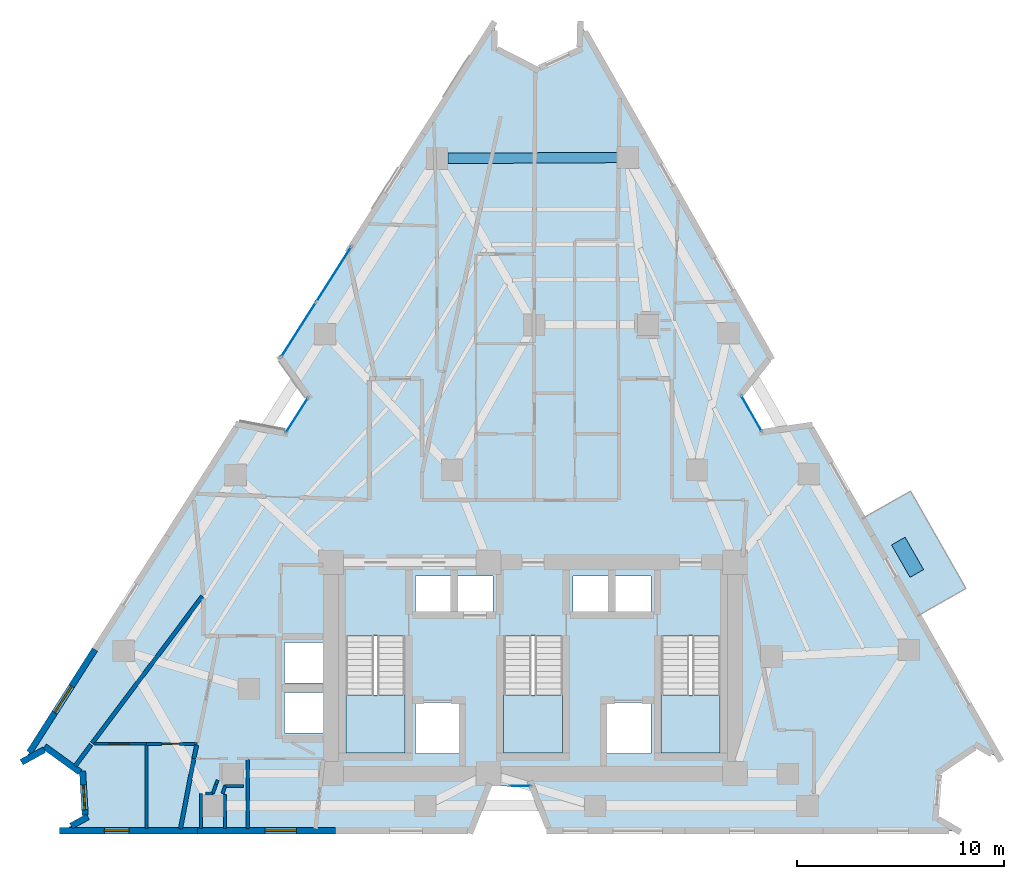
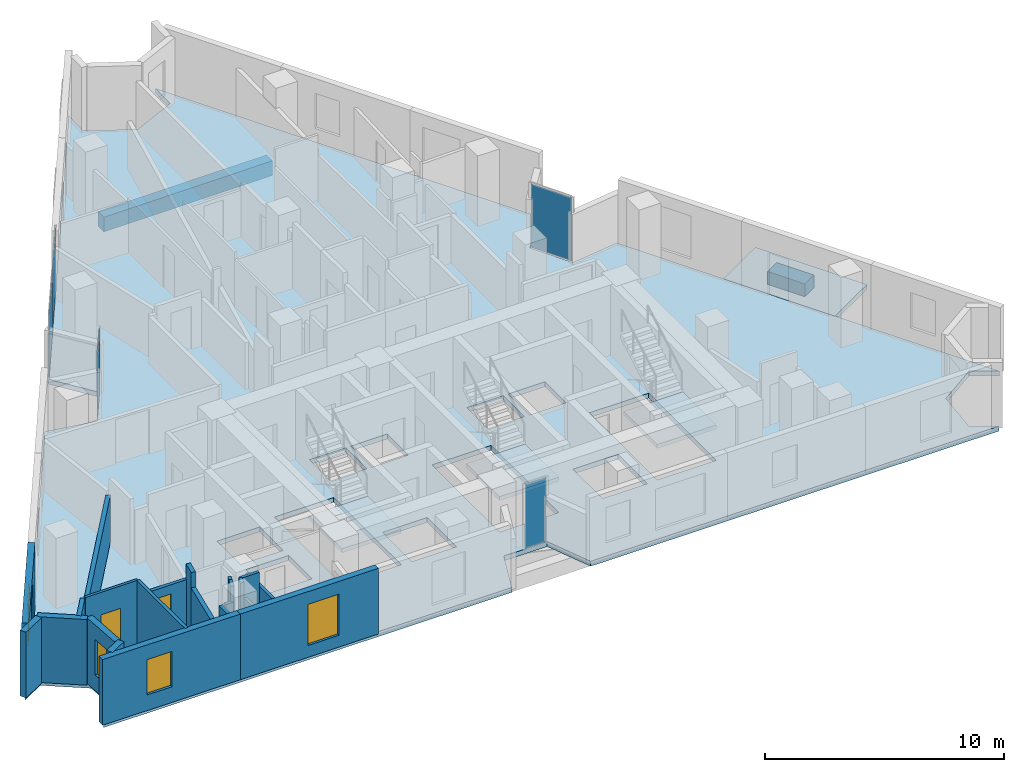
# One storey, part 5 of 11: 22 walls, 6 plates, 5 slabs, 4 windows, 2 doors, 1 beam, 6 openings, 7 elements without a shape of their own.
"""IFC4 building model written with IfcOpenShell, lengths in metres."""

from ifc_helpers import new_model, si_unit, direction, frame, frame_2d, origin, origin_2d, place, context, subcontext, project, spatial, polyline, rectangle, outline, extrude, material, layer, layer_set, material_profile, profile_set, type_object, element, fill, aggregate, save


model = new_model("IFC4")

# Units and contexts
model_context = context("Model", 3, precision=1e-05, world=origin(), true_north=direction((0.0, 1.0)))
body_context = subcontext(model_context, "Body", "Model", "MODEL_VIEW")
ifc_project = project(units=[si_unit("LENGTHUNIT", "METRE"), si_unit("AREAUNIT", "SQUARE_METRE"), si_unit("VOLUMEUNIT", "CUBIC_METRE"), si_unit("PLANEANGLEUNIT", "RADIAN"), si_unit("MASSUNIT", "GRAM", prefix="KILO")], contexts=[model_context])

# Site, building, storey
site_placement = place(None, origin())
site = spatial("IfcSite", under=ifc_project, at=site_placement, CompositionType="ELEMENT")
building_placement = place(site_placement, origin())
building = spatial("IfcBuilding", under=site, at=building_placement, Name="Almagre Mirador Tower", CompositionType="ELEMENT")
storey_placement = place(building_placement, frame((0.0, 0.0, 146.39990234375)))
storey = spatial("IfcBuildingStorey", under=building, at=storey_placement, Name="L37", CompositionType="ELEMENT", Elevation=146.39990234375)

# Beam
ifc_material_1 = material(Name="Precast concrete C50/60", Category="concrete")
ifc_material_profile = material_profile(ifc_material_1, rectangle(XDim=0.5, YDim=0.75, at=origin_2d()), Name="RC500X750")
ifc_profile_set = profile_set([ifc_material_profile], Name="Precast concrete C50/60")
beam_type = type_object("IfcBeamType", Name="BM-SPN-RC500X750", PredefinedType="SPANDREL", material=ifc_profile_set)
beam_placement = place(storey_placement, frame((41.35693359375, 34.274169921875, -0.625), z_axis=(-0.999985336868, -0.005415353079, 0.0), x_axis=(0.005415353079, -0.999985336868, 0.0)))
element("IfcBeam", 1, at=beam_placement, inside=storey, type_object=beam_type, Name="L37 perimeter spandrel beam PC08-PC09", PredefinedType="SPANDREL", context=body_context, shape_type="SweptSolid", body=[
    extrude(rectangle(XDim=0.5, YDim=0.75, at=origin_2d()), origin(), (0.0, 0.0, 1.0), 8.159912109375),
])

# Curtain wall, plate
ifc_material_2 = material(Name="Black anodized aluminium", Category="aluminium")
ifc_layer_1 = layer(ifc_material_2, 0.169921875)
ifc_layer_set_1 = layer_set([ifc_layer_1], Name="Black anodized aluminium")
curtain_wall_type_1 = type_object("IfcCurtainWallType", Name="CW-CRS-SYS", PredefinedType="NOTDEFINED", material=ifc_layer_set_1)
curtain_wall_1_placement = place(storey_placement, origin())
curtain_wall_1 = element("IfcCurtainWall", 2, at=curtain_wall_1_placement, inside=storey, type_object=curtain_wall_type_1, Name="L37 vertical crease curtain wall 01", PredefinedType="NOTDEFINED")
ifc_material_3 = material(Name="Dark solar-control laminated hurricane glass", Category="glass")
ifc_layer_2 = layer(ifc_material_3, 0.028076171875)
ifc_layer_set_2 = layer_set([ifc_layer_2], Name="Dark solar-control laminated hurricane glass")
plate_type_1 = type_object("IfcPlateType", Name="PLT-GLZ-28", PredefinedType="CURTAIN_PANEL", material=ifc_layer_set_2)
plate_1_placement = place(storey_placement, frame((25.91357421875, 21.845458984375, 0.06005859375), z_axis=(0.0, 0.0, 1.0), x_axis=(0.537246906243, 0.843425018441, 0.0)))
plate_1 = element("IfcPlate", 3, at=plate_1_placement, type_object=plate_type_1, Name="CW-4 panel 1.1", PredefinedType="CURTAIN_PANEL", context=body_context, shape_type="SweptSolid", body=[
    extrude(rectangle(XDim=1.97021484375, YDim=0.028076171875, at=origin_2d()), origin(), (0.0, 0.0, 1.0), 3.22998046875),
])
aggregate(curtain_wall_1, [plate_1])

curtain_wall_2_placement = place(storey_placement, origin())
curtain_wall_2 = element("IfcCurtainWall", 4, at=curtain_wall_2_placement, inside=storey, type_object=curtain_wall_type_1, Name="L37 vertical crease curtain wall 03", PredefinedType="NOTDEFINED")
plate_2_placement = place(storey_placement, frame((47.8330078125, 21.9345703125, 0.06005859375), z_axis=(0.0, 0.0, 1.0), x_axis=(0.495726635757, -0.868478613785, 0.0)))
plate_2 = element("IfcPlate", 5, at=plate_2_placement, type_object=plate_type_1, Name="CW-4 panel 1.1", PredefinedType="CURTAIN_PANEL", context=body_context, shape_type="SweptSolid", body=[
    extrude(rectangle(XDim=1.969970703125, YDim=0.028076171875, at=origin_2d()), origin(), (0.0, 0.0, 1.0), 3.22998046875),
])
aggregate(curtain_wall_2, [plate_2])

curtain_wall_3_placement = place(storey_placement, origin())
curtain_wall_3 = element("IfcCurtainWall", 6, at=curtain_wall_3_placement, inside=storey, type_object=curtain_wall_type_1, Name="L37 vertical crease curtain wall 04", PredefinedType="NOTDEFINED")
plate_3_placement = place(storey_placement, frame((36.677490234375, 3.949951171875, 0.06005859375), z_axis=(0.0, 0.0, 1.0), x_axis=(-1.0, 0.0, 0.0)))
plate_3 = element("IfcPlate", 7, at=plate_3_placement, type_object=plate_type_1, Name="CW-4 panel 1.1", PredefinedType="CURTAIN_PANEL", context=body_context, shape_type="SweptSolid", body=[
    extrude(rectangle(XDim=1.014892578125, YDim=0.028076171875, at=origin_2d()), origin(), (0.0, 0.0, 1.0), 3.22998046875),
])
aggregate(curtain_wall_3, [plate_3])

# Curtain wall, plates
ifc_material_4 = material(Name="Black anodized aluminium", Category="aluminium")
ifc_layer_3 = layer(ifc_material_4, 0.199951171875)
ifc_layer_set_3 = layer_set([ifc_layer_3], Name="Black anodized aluminium")
curtain_wall_type_2 = type_object("IfcCurtainWallType", Name="CW-RES-H-SYS", PredefinedType="NOTDEFINED", material=ifc_layer_set_3)
curtain_wall_4_placement = place(storey_placement, origin())
curtain_wall_4 = element("IfcCurtainWall", 8, at=curtain_wall_4_placement, inside=storey, type_object=curtain_wall_type_2, Name="L37 curtain wall run 02", PredefinedType="NOTDEFINED")
ifc_material_5 = material(Name="Dark solar-control laminated hurricane glass", Category="glass")
ifc_layer_4 = layer(ifc_material_5, 0.035888671875)
ifc_layer_set_4 = layer_set([ifc_layer_4], Name="Dark solar-control laminated hurricane glass")
plate_type_2 = type_object("IfcPlateType", Name="PLT-GLZ-36", PredefinedType="CURTAIN_PANEL", material=ifc_layer_set_4)
plate_4_placement = place(storey_placement, frame((25.990478515625, 25.96875, 0.06494140625), z_axis=(0.0, 0.0, 1.0), x_axis=(0.537101558734, 0.843517584645, 0.0)))
plate_4 = element("IfcPlate", 9, at=plate_4_placement, type_object=plate_type_2, Name="CW-3 panel 1.1", PredefinedType="CURTAIN_PANEL", context=body_context, shape_type="SweptSolid", body=[
    extrude(rectangle(XDim=3.10791015625, YDim=0.035888671875, at=origin_2d()), origin(), (0.0, 0.0, 1.0), 3.219970703125),
])
plate_5_placement = place(storey_placement, frame((27.69482421875, 28.64501953125, 0.06494140625), z_axis=(0.0, 0.0, 1.0), x_axis=(0.537101558734, 0.843517584645, 0.0)))
plate_5 = element("IfcPlate", 10, at=plate_5_placement, type_object=plate_type_2, Name="CW-3 panel 2.1", PredefinedType="CURTAIN_PANEL", context=body_context, shape_type="SweptSolid", body=[
    extrude(rectangle(XDim=3.10791015625, YDim=0.035888671875, at=origin_2d()), origin(), (0.0, 0.0, 1.0), 3.219970703125),
])
aggregate(curtain_wall_4, [plate_4, plate_5])

# Plate
ifc_material_6 = material(Name="Precast concrete C50/60", Category="concrete")
ifc_layer_5 = layer(ifc_material_6, 0.64990234375)
ifc_layer_set_5 = layer_set([ifc_layer_5], Name="Precast concrete C50/60")
plate_type_3 = type_object("IfcPlateType", Name="PLT-PLANTER-1800", PredefinedType="USERDEFINED", material=ifc_layer_set_5)
plate_6_placement = place(storey_placement, frame((55.364990234375, 14.990966796875, 0.000244140625), z_axis=(0.0, 0.0, 1.0), x_axis=(-0.495701216789, 0.86849312241, 0.0)))
element("IfcPlate", 11, at=plate_6_placement, inside=storey, type_object=plate_type_3, Name="L37 east balcony structural tree planter 2", ObjectType="PLANTER", PredefinedType="USERDEFINED", context=body_context, shape_type="SweptSolid", body=[
    extrude(rectangle(XDim=1.800048828125, YDim=0.75, at=origin_2d()), origin(), (0.0, 0.0, 1.0), 0.64990234375),
])

# Slabs
ifc_material_7 = material(Name="Concrete C45/55", Category="concrete")
ifc_layer_6 = layer(ifc_material_7, 0.239990234375)
ifc_layer_set_6 = layer_set([ifc_layer_6], Name="Concrete C45/55")
slab_type_1 = type_object("IfcSlabType", Name="SLB-BAL-240", PredefinedType="USERDEFINED", material=ifc_layer_set_6)
slab_1_placement = place(storey_placement, frame((0.0, 0.0, -0.239990234375)))
element("IfcSlab", 12, at=slab_1_placement, inside=storey, type_object=slab_type_1, Name="L37 east planted tree balcony 2", ObjectType="BALCONY", PredefinedType="USERDEFINED", context=body_context, shape_type="SweptSolid", body=[
    extrude(outline(polyline([(55.861083984375, 12.1650390625), (53.18505859375, 16.85498046875), (55.5029296875, 18.178955078125), (58.179931640625, 13.489013671875), (55.861083984375, 12.1650390625)])), origin(), (0.0, 0.0, 1.0), 0.239990234375),
])
ifc_material_8 = material(Name="Concrete C45/55", Category="concrete")
ifc_layer_7 = layer(ifc_material_8, 0.25)
ifc_layer_set_7 = layer_set([ifc_layer_7], Name="Concrete C45/55")
slab_type_2 = type_object("IfcSlabType", Name="SLB-FLR-250", PredefinedType="FLOOR", material=ifc_layer_set_7)
slab_2_placement = place(storey_placement, frame((0.0, 0.0, -0.25)))
element("IfcSlab", 13, at=slab_2_placement, inside=storey, type_object=slab_type_2, Name="L37 structural floor slab", PredefinedType="FLOOR", context=body_context, shape_type="SweptSolid", body=[
    extrude(outline(polyline([(12.7490234375, 5.174072265625), (13.85302734375, 5.780029296875), (15.580078125, 4.532958984375), (15.705078125, 2.406005859375), (14.60009765625, 1.800048828125), (34.300048828125, 1.800048828125), (35.155029296875, 3.949951171875), (37.2451171875, 3.949951171875), (38.10009765625, 1.800048828125), (57.800048828125, 1.800048828125), (56.7099609375, 2.43310546875), (56.887939453125, 4.652099609375), (58.72802734375, 5.906982421875), (59.81689453125, 5.27392578125), (50.64208984375, 21.35009765625), (48.35107421875, 21.027099609375), (47.31494140625, 22.842041015625), (48.758056640625, 24.64990234375), (39.5830078125, 40.72607421875), (39.552001953125, 39.466064453125), (37.462890625, 38.52197265625), (35.4208984375, 39.56591796875), (35.450927734375, 40.825927734375), (25.12109375, 24.60302734375), (26.47509765625, 22.72705078125), (25.35205078125, 20.964111328125), (23.0791015625, 21.39697265625), (12.7490234375, 5.174072265625)]), holes=[polyline([(43.47509765625, 5.550048828125), (43.47509765625, 11.196044921875), (46.324951171875, 11.196044921875), (46.324951171875, 5.550048828125), (43.47509765625, 5.550048828125)]), polyline([(40.820068359375, 5.52001953125), (40.820068359375, 7.97998046875), (42.97998046875, 7.97998046875), (42.97998046875, 5.52001953125), (40.820068359375, 5.52001953125)]), polyline([(41.219970703125, 12.320068359375), (41.219970703125, 14.080078125), (42.97998046875, 14.080078125), (42.97998046875, 12.320068359375), (41.219970703125, 12.320068359375)]), polyline([(39.219970703125, 12.320068359375), (39.219970703125, 14.080078125), (40.97998046875, 14.080078125), (40.97998046875, 12.320068359375), (39.219970703125, 12.320068359375)]), polyline([(35.875, 11.196044921875), (38.72509765625, 11.196044921875), (38.72509765625, 5.550048828125), (35.875, 5.550048828125), (35.875, 11.196044921875)]), polyline([(35.3798828125, 12.320068359375), (33.6201171875, 12.320068359375), (33.6201171875, 14.080078125), (35.3798828125, 14.080078125), (35.3798828125, 12.320068359375)]), polyline([(33.780029296875, 5.52001953125), (31.6201171875, 5.52001953125), (31.6201171875, 7.97998046875), (33.780029296875, 7.97998046875), (33.780029296875, 5.52001953125)]), polyline([(31.6201171875, 12.320068359375), (31.6201171875, 14.080078125), (33.3798828125, 14.080078125), (33.3798828125, 12.320068359375), (31.6201171875, 12.320068359375)]), polyline([(28.27490234375, 5.550048828125), (28.27490234375, 11.196044921875), (31.125, 11.196044921875), (31.125, 5.550048828125), (28.27490234375, 5.550048828125)]), polyline([(25.320068359375, 8.919921875), (25.320068359375, 10.8798828125), (27.3798828125, 10.8798828125), (27.3798828125, 8.919921875), (25.320068359375, 8.919921875)]), polyline([(27.3798828125, 6.52001953125), (25.320068359375, 6.52001953125), (25.320068359375, 8.47998046875), (27.3798828125, 8.47998046875), (27.3798828125, 6.52001953125)])]), origin(), (0.0, 0.0, 1.0), 0.25),
])

# Stair, slab
ifc_material_9 = material(Name="Concrete C45/55", Category="concrete")
stair_type = type_object("IfcStairType", Name="STR-DL-3600", PredefinedType="HALF_TURN_STAIR", material=ifc_material_9)
stair_1_placement = place(storey_placement, origin())
stair_1 = element("IfcStair", 14, at=stair_1_placement, inside=storey, type_object=stair_type, Name="L37 Protected exit stair ST-1", PredefinedType="HALF_TURN_STAIR")
ifc_material_10 = material(Name="Concrete C45/55", Category="concrete")
ifc_layer_8 = layer(ifc_material_10, 0.199951171875)
ifc_layer_set_8 = layer_set([ifc_layer_8], Name="Concrete C45/55")
slab_type_3 = type_object("IfcSlabType", Name="SLB-LND-200", PredefinedType="LANDING", material=ifc_layer_set_8)
slab_3_placement = place(storey_placement, frame((0.0, 0.0, 1.60009765625)))
slab_3 = element("IfcSlab", 15, at=slab_3_placement, type_object=slab_type_3, Name="ST-1 landing 1", PredefinedType="LANDING", context=body_context, shape_type="SweptSolid", body=[
    extrude(outline(polyline([(28.27490234375, 8.35009765625), (28.27490234375, 5.550048828125), (31.125, 5.550048828125), (31.125, 8.35009765625), (28.27490234375, 8.35009765625)])), origin(), (0.0, 0.0, 1.0), 0.199951171875),
])
aggregate(stair_1, [slab_3])

stair_2_placement = place(storey_placement, origin())
stair_2 = element("IfcStair", 16, at=stair_2_placement, inside=storey, type_object=stair_type, Name="L37 Protected exit stair ST-2", PredefinedType="HALF_TURN_STAIR")
slab_4_placement = place(storey_placement, frame((0.0, 0.0, 1.60009765625)))
slab_4 = element("IfcSlab", 17, at=slab_4_placement, type_object=slab_type_3, Name="ST-2 landing 1", PredefinedType="LANDING", context=body_context, shape_type="SweptSolid", body=[
    extrude(outline(polyline([(35.875, 8.35009765625), (35.875, 5.550048828125), (38.72509765625, 5.550048828125), (38.72509765625, 8.35009765625), (35.875, 8.35009765625)])), origin(), (0.0, 0.0, 1.0), 0.199951171875),
])
aggregate(stair_2, [slab_4])

stair_3_placement = place(storey_placement, origin())
stair_3 = element("IfcStair", 18, at=stair_3_placement, inside=storey, type_object=stair_type, Name="L37 Protected exit stair ST-3", PredefinedType="HALF_TURN_STAIR")
slab_5_placement = place(storey_placement, frame((0.0, 0.0, 1.60009765625)))
slab_5 = element("IfcSlab", 19, at=slab_5_placement, type_object=slab_type_3, Name="ST-3 landing 1", PredefinedType="LANDING", context=body_context, shape_type="SweptSolid", body=[
    extrude(outline(polyline([(43.47509765625, 8.35009765625), (43.47509765625, 5.550048828125), (46.324951171875, 5.550048828125), (46.324951171875, 8.35009765625), (43.47509765625, 8.35009765625)])), origin(), (0.0, 0.0, 1.0), 0.199951171875),
])
aggregate(stair_3, [slab_5])

# Wall, opening, window
ifc_material_11 = material(Name="Precast concrete C50/60", Category="concrete")
ifc_layer_9 = layer(ifc_material_11, 0.300048828125)
ifc_layer_set_9 = layer_set([ifc_layer_9], Name="Precast concrete C50/60")
wall_type_1 = type_object("IfcWallType", Name="WAL-EXT-300", PredefinedType="SOLIDWALL", material=ifc_layer_set_9)
wall_1_placement = place(storey_placement, frame((27.780029296875, 1.800048828125, 0.0), z_axis=(0.0, 0.0, 1.0), x_axis=(-1.0, 0.0, 0.0)))
wall_1 = element("IfcWall", 20, at=wall_1_placement, inside=storey, type_object=wall_type_1, Name="L37 expressed almagre precast frame wall 27", PredefinedType="SOLIDWALL", context=body_context, shape_type="SweptSolid", body=[
    extrude(rectangle(XDim=6.659912109375, YDim=0.300048828125, at=frame_2d((3.330078125, 0.0))), origin(), (0.0, 0.0, 1.0), 3.35009765625),
])
opening_1_placement = place(wall_1_placement, frame((1.89990234375, 0.0, 0.60009765625)))
opening_1 = element("IfcOpeningElement", 21, at=opening_1_placement, cuts=wall_1, Name="Opening WN-03", PredefinedType="OPENING", context=body_context, shape_type="SweptSolid", body=[
    extrude(rectangle(XDim=1.5, YDim=2.10009765625, at=frame_2d((0.75, 1.050048828125))), frame((0.0, 0.159902, 0.0), z_axis=(0.0, -1.0, 0.0), x_axis=(1.0, 0.0, 0.0)), (0.0, 0.0, 1.0), 0.320049),
])
ifc_material_12 = material(Name="Dark solar-control laminated hurricane glass", Category="glass")
window_type_1 = type_object("IfcWindowType", Name="WIN-1500X2100", PartitioningType="DOUBLE_PANEL_VERTICAL", PredefinedType="WINDOW", material=ifc_material_12)
window_1_placement = place(opening_1_placement, origin())
window_1 = element("IfcWindow", 22, at=window_1_placement, inside=storey, type_object=window_type_1, Name="L37 recessed hurricane window L37-UB-KT", OverallHeight=2.10009765625, OverallWidth=1.5, PartitioningType="SINGLE_PANEL", PredefinedType="WINDOW", context=body_context, shape_type="SweptSolid", body=[
    extrude(rectangle(XDim=1.5, YDim=2.10009765625, at=frame_2d((0.75, 1.050048828125))), frame((0.0, 0.030029296875, 0.0), z_axis=(0.0, -1.0, 0.0), x_axis=(1.0, 0.0, 0.0)), (0.0, 0.0, 1.0), 0.06005859375),
])
fill(opening_1, window_1)

wall_2_placement = place(storey_placement, frame((21.1201171875, 1.800048828125, 0.0), z_axis=(0.0, 0.0, 1.0), x_axis=(-1.0, 0.0, 0.0)))
wall_2 = element("IfcWall", 23, at=wall_2_placement, inside=storey, type_object=wall_type_1, Name="L37 expressed almagre precast frame wall 28", PredefinedType="SOLIDWALL", context=body_context, shape_type="SweptSolid", body=[
    extrude(rectangle(XDim=6.66015625, YDim=0.300048828125, at=frame_2d((3.330078125, 0.0))), origin(), (0.0, 0.0, 1.0), 3.35009765625),
])
opening_2_placement = place(wall_2_placement, frame((3.300048828125, 0.0, 0.800048828125)))
opening_2 = element("IfcOpeningElement", 24, at=opening_2_placement, cuts=wall_2, Name="Opening WN-04", PredefinedType="OPENING", context=body_context, shape_type="SweptSolid", body=[
    extrude(rectangle(XDim=1.199951171875, YDim=1.800048828125, at=frame_2d((0.60009765625, 0.89990234375))), frame((0.0, 0.159902, 0.0), z_axis=(0.0, -1.0, 0.0), x_axis=(1.0, 0.0, 0.0)), (0.0, 0.0, 1.0), 0.320049),
])
ifc_material_13 = material(Name="Dark solar-control laminated hurricane glass", Category="glass")
window_type_2 = type_object("IfcWindowType", Name="WIN-1200X1800", PartitioningType="SINGLE_PANEL", PredefinedType="WINDOW", material=ifc_material_13)
window_2_placement = place(opening_2_placement, origin())
window_2 = element("IfcWindow", 25, at=window_2_placement, inside=storey, type_object=window_type_2, Name="L37 recessed hurricane window L37-UA-KT", OverallHeight=1.800048828125, OverallWidth=1.199951171875, PartitioningType="SINGLE_PANEL", PredefinedType="WINDOW", context=body_context, shape_type="SweptSolid", body=[
    extrude(rectangle(XDim=1.199951171875, YDim=1.800048828125, at=frame_2d((0.60009765625, 0.89990234375))), frame((0.0, 0.030029296875, 0.0), z_axis=(0.0, -1.0, 0.0), x_axis=(1.0, 0.0, 0.0)), (0.0, 0.0, 1.0), 0.06005859375),
])
fill(opening_2, window_2)

# Wall
wall_3_placement = place(storey_placement, frame((15.016357421875, 2.0283203125, 0.0), z_axis=(0.0, 0.0, 1.0), x_axis=(0.876794471231, 0.48086531921, 0.0)))
element("IfcWall", 26, at=wall_3_placement, inside=storey, type_object=wall_type_1, Name="L37 expressed almagre precast frame wall 29", PredefinedType="SOLIDWALL", context=body_context, shape_type="SweptSolid", body=[
    extrude(rectangle(XDim=0.925537109375, YDim=0.300048828125, at=frame_2d((0.462890625, 0.0))), origin(), (0.0, 0.0, 1.0), 3.35009765625),
])

# Wall, opening, window
wall_4_placement = place(storey_placement, frame((15.696533203125, 2.55078125, 0.0), z_axis=(0.0, 0.0, 1.0), x_axis=(-0.058688358982, 0.99827635278, 0.0)))
wall_4 = element("IfcWall", 27, at=wall_4_placement, inside=storey, type_object=wall_type_1, Name="L37 expressed almagre precast frame wall 30", PredefinedType="SOLIDWALL", context=body_context, shape_type="SweptSolid", body=[
    extrude(rectangle(XDim=2.125732421875, YDim=0.300048828125, at=frame_2d((1.06298828125, 0.0))), origin(), (0.0, 0.0, 1.0), 3.35009765625),
])
opening_3_placement = place(wall_4_placement, frame((0.264892578125, 0.0, 0.800048828125)))
opening_3 = element("IfcOpeningElement", 28, at=opening_3_placement, cuts=wall_4, Name="Opening WN-04", PredefinedType="OPENING", context=body_context, shape_type="SweptSolid", body=[
    extrude(rectangle(XDim=1.199951171875, YDim=1.800048828125, at=frame_2d((0.60009765625, 0.89990234375))), frame((0.0, 0.159902, 0.0), z_axis=(0.0, -1.0, 0.0), x_axis=(1.0, 0.0, 0.0)), (0.0, 0.0, 1.0), 0.320049),
])
window_3_placement = place(opening_3_placement, origin())
window_3 = element("IfcWindow", 29, at=window_3_placement, inside=storey, type_object=window_type_2, Name="L37 recessed hurricane window L37-UA-KT", OverallHeight=1.800048828125, OverallWidth=1.199951171875, PartitioningType="SINGLE_PANEL", PredefinedType="WINDOW", context=body_context, shape_type="SweptSolid", body=[
    extrude(rectangle(XDim=1.199951171875, YDim=1.800048828125, at=frame_2d((0.60009765625, 0.89990234375))), frame((0.0, 0.030029296875, 0.0), z_axis=(0.0, -1.0, 0.0), x_axis=(1.0, 0.0, 0.0)), (0.0, 0.0, 1.0), 0.06005859375),
])
fill(opening_3, window_3)

# Walls
wall_5_placement = place(storey_placement, frame((15.4501953125, 4.626708984375, 0.0), z_axis=(0.0, 0.0, 1.0), x_axis=(-0.810712787228, 0.585444084969, 0.0)))
element("IfcWall", 30, at=wall_5_placement, inside=storey, type_object=wall_type_1, Name="L37 expressed almagre precast frame wall 31", PredefinedType="SOLIDWALL", context=body_context, shape_type="SweptSolid", body=[
    extrude(rectangle(XDim=2.110107421875, YDim=0.300048828125, at=frame_2d((1.05517578125, 0.0))), origin(), (0.0, 0.0, 1.0), 3.35009765625),
])
wall_6_placement = place(storey_placement, frame((13.725830078125, 5.710205078125, 0.0), z_axis=(0.0, 0.0, 1.0), x_axis=(-0.876642942611, -0.481141508467, 0.0)))
element("IfcWall", 31, at=wall_6_placement, inside=storey, type_object=wall_type_1, Name="L37 expressed almagre precast frame wall 32", PredefinedType="SOLIDWALL", context=body_context, shape_type="SweptSolid", body=[
    extrude(rectangle(XDim=1.25439453125, YDim=0.300048828125, at=frame_2d((0.627197265625, 0.0))), origin(), (0.0, 0.0, 1.0), 3.35009765625),
])

# Wall, opening, window
wall_7_placement = place(storey_placement, frame((13.0068359375, 5.578857421875, 0.0), z_axis=(0.0, 0.0, 1.0), x_axis=(0.537103674191, 0.843516237645, 0.0)))
wall_7 = element("IfcWall", 32, at=wall_7_placement, inside=storey, type_object=wall_type_1, Name="L37 expressed almagre precast frame wall 33", PredefinedType="SOLIDWALL", context=body_context, shape_type="SweptSolid", body=[
    extrude(rectangle(XDim=5.884033203125, YDim=0.300048828125, at=frame_2d((2.94189453125, 0.0))), origin(), (0.0, 0.0, 1.0), 3.35009765625),
])
opening_4_placement = place(wall_7_placement, frame((2.280029296875, 0.0, 0.60009765625)))
opening_4 = element("IfcOpeningElement", 33, at=opening_4_placement, cuts=wall_7, Name="Opening WN-03", PredefinedType="OPENING", context=body_context, shape_type="SweptSolid", body=[
    extrude(rectangle(XDim=1.5, YDim=2.10009765625, at=frame_2d((0.75, 1.050048828125))), frame((0.0, 0.159902, 0.0), z_axis=(0.0, -1.0, 0.0), x_axis=(1.0, 0.0, 0.0)), (0.0, 0.0, 1.0), 0.320049),
])
window_4_placement = place(opening_4_placement, origin())
window_4 = element("IfcWindow", 34, at=window_4_placement, inside=storey, type_object=window_type_1, Name="L37 recessed hurricane window L37-RST-F", OverallHeight=2.10009765625, OverallWidth=1.5, PartitioningType="SINGLE_PANEL", PredefinedType="WINDOW", context=body_context, shape_type="SweptSolid", body=[
    extrude(rectangle(XDim=1.5, YDim=2.10009765625, at=frame_2d((0.75, 1.050048828125))), frame((0.0, 0.030029296875, 0.0), z_axis=(0.0, -1.0, 0.0), x_axis=(1.0, 0.0, 0.0)), (0.0, 0.0, 1.0), 0.06005859375),
])
fill(opening_4, window_4)

# Wall, opening, door
ifc_material_14 = material(Name="Gypsum acoustic stud partition", Category="other")
ifc_layer_10 = layer(ifc_material_14, 0.125)
ifc_layer_set_10 = layer_set([ifc_layer_10], Name="Gypsum acoustic stud partition")
wall_type_2 = type_object("IfcWallType", Name="WAL-PRT-125-UTL", PredefinedType="PARTITIONING", material=ifc_layer_set_10)
wall_8_placement = place(storey_placement, frame((16.114990234375, 5.989990234375, 0.0), z_axis=(0.0, 0.0, 1.0), x_axis=(1.0, 0.0, 0.0)))
wall_8 = element("IfcWall", 35, at=wall_8_placement, inside=storey, type_object=wall_type_2, Name="L37 interior partition 022", PredefinedType="PARTITIONING", context=body_context, shape_type="SweptSolid", body=[
    extrude(rectangle(XDim=2.544921875, YDim=0.125, at=frame_2d((1.2724609375, 0.0))), origin(), (0.0, 0.0, 1.0), 3.35009765625),
])
opening_5_placement = place(wall_8_placement, frame((0.7451171875, 0.0, 0.0)))
opening_5 = element("IfcOpeningElement", 36, at=opening_5_placement, cuts=wall_8, Name="Opening UD-01", PredefinedType="OPENING", context=body_context, shape_type="SweptSolid", body=[
    extrude(rectangle(XDim=0.949951171875, YDim=2.199951171875, at=frame_2d((0.47509765625, 1.10009765625))), frame((0.0, 0.0725, 0.0), z_axis=(0.0, -1.0, 0.0), x_axis=(1.0, 0.0, 0.0)), (0.0, 0.0, 1.0), 0.145),
])
ifc_material_15 = material(Name="Solid American walnut timber", Category="wood")
door_type_1 = type_object("IfcDoorType", Name="DOR-UNR-950X2200", OperationType="NOTDEFINED", PredefinedType="DOOR", material=ifc_material_15)
door_1_placement = place(opening_5_placement, origin())
door_1 = element("IfcDoor", 37, at=door_1_placement, inside=storey, type_object=door_type_1, Name="DR-1199 L37 interior door L37-UA-ST to L37-UA-KT", OperationType="SINGLE_SWING_RIGHT", OverallHeight=2.199951171875, OverallWidth=0.949951171875, PredefinedType="DOOR", context=body_context, shape_type="SweptSolid", body=[
    extrude(rectangle(XDim=0.949951171875, YDim=2.199951171875, at=frame_2d((0.47509765625, 1.10009765625))), frame((0.0, 0.02490234375, 0.0), z_axis=(0.0, -1.0, 0.0), x_axis=(1.0, 0.0, 0.0)), (0.0, 0.0, 1.0), 0.050048828125),
])
fill(opening_5, door_1)

ifc_material_16 = material(Name="Gypsum acoustic stud partition", Category="other")
ifc_layer_11 = layer(ifc_material_16, 0.14990234375)
ifc_layer_set_11 = layer_set([ifc_layer_11], Name="Gypsum acoustic stud partition")
wall_type_3 = type_object("IfcWallType", Name="WAL-PRT-150-STD", PredefinedType="PARTITIONING", material=ifc_layer_set_11)
wall_9_placement = place(storey_placement, frame((18.659912109375, 5.989990234375, 0.0), z_axis=(0.0, 0.0, 1.0), x_axis=(1.0, 0.0, 0.0)))
wall_9 = element("IfcWall", 38, at=wall_9_placement, inside=storey, type_object=wall_type_3, Name="L37 interior partition 023", PredefinedType="PARTITIONING", context=body_context, shape_type="SweptSolid", body=[
    extrude(rectangle(XDim=2.43017578125, YDim=0.14990234375, at=frame_2d((1.215087890625, 0.0))), origin(), (0.0, 0.0, 1.0), 2.570068359375),
])
opening_6_placement = place(wall_9_placement, frame((0.73095703125, 0.0, 0.0)))
opening_6 = element("IfcOpeningElement", 39, at=opening_6_placement, cuts=wall_9, Name="Opening UD-04", PredefinedType="OPENING", context=body_context, shape_type="SweptSolid", body=[
    extrude(rectangle(XDim=0.85009765625, YDim=2.10009765625, at=frame_2d((0.425048828125, 1.050048828125))), frame((0.0, 0.084951, 0.0), z_axis=(0.0, -1.0, 0.0), x_axis=(1.0, 0.0, 0.0)), (0.0, 0.0, 1.0), 0.169902),
])
ifc_material_17 = material(Name="Moisture-resistant oak timber", Category="wood")
door_type_2 = type_object("IfcDoorType", Name="DOR-UNR-850X2100", OperationType="NOTDEFINED", PredefinedType="DOOR", material=ifc_material_17)
door_2_placement = place(opening_6_placement, origin())
door_2 = element("IfcDoor", 40, at=door_2_placement, inside=storey, type_object=door_type_2, Name="DR-1200 L37 interior door L37-UA-ST to L37-UA-BT", OperationType="SINGLE_SWING_LEFT", OverallHeight=2.10009765625, OverallWidth=0.85009765625, PredefinedType="DOOR", context=body_context, shape_type="SweptSolid", body=[
    extrude(rectangle(XDim=0.85009765625, YDim=2.10009765625, at=frame_2d((0.425048828125, 1.050048828125))), frame((0.0, 0.02490234375, 0.0), z_axis=(0.0, -1.0, 0.0), x_axis=(1.0, 0.0, 0.0)), (0.0, 0.0, 1.0), 0.050048828125),
])
fill(opening_6, door_2)

# Walls
wall_10_placement = place(storey_placement, frame((18.659912109375, 1.89990234375, 0.0), z_axis=(0.0, 0.0, 1.0), x_axis=(0.0, 1.0, 0.0)))
element("IfcWall", 41, at=wall_10_placement, inside=storey, type_object=wall_type_3, Name="L37 interior partition 026", PredefinedType="PARTITIONING", context=body_context, shape_type="SweptSolid", body=[
    extrude(rectangle(XDim=4.04248046875, YDim=0.14990234375, at=frame_2d((2.021240234375, 0.0))), origin(), (0.0, 0.0, 1.0), 3.35009765625),
])
wall_11_placement = place(storey_placement, frame((23.5400390625, 5.232421875, 0.0), z_axis=(0.0, 0.0, 1.0), x_axis=(0.0, -1.0, 0.0)))
element("IfcWall", 42, at=wall_11_placement, inside=storey, type_object=wall_type_3, Name="L37 interior partition 033", PredefinedType="PARTITIONING", context=body_context, shape_type="SweptSolid", body=[
    extrude(rectangle(XDim=3.33251953125, YDim=0.14990234375, at=frame_2d((1.666259765625, 0.0))), origin(), (0.0, 0.0, 1.0), 2.43603515625),
])
wall_12_placement = place(storey_placement, frame((23.324951171875, 3.9599609375, 0.0), z_axis=(0.0, 0.0, 1.0), x_axis=(-1.0, 0.0, 0.0)))
element("IfcWall", 43, at=wall_12_placement, inside=storey, type_object=wall_type_3, Name="L37 interior partition 078", PredefinedType="PARTITIONING", context=body_context, shape_type="SweptSolid", body=[
    extrude(rectangle(XDim=0.875, YDim=0.14990234375, at=frame_2d((0.4375, 0.0))), origin(), (0.0, 0.0, 1.0), 3.35009765625),
])
wall_13_placement = place(storey_placement, frame((22.449951171875, 3.9599609375, 0.0), z_axis=(0.0, 0.0, 1.0), x_axis=(-0.331321182958, -0.943518030418, 0.0)))
element("IfcWall", 44, at=wall_13_placement, inside=storey, type_object=wall_type_3, Name="L37 interior partition 079", PredefinedType="PARTITIONING", context=body_context, shape_type="SweptSolid", body=[
    extrude(rectangle(XDim=0.39208984375, YDim=0.14990234375, at=frame_2d((0.196044921875, 0.0))), origin(), (0.0, 0.0, 1.0), 3.35009765625),
])
wall_14_placement = place(storey_placement, frame((22.449951171875, 3.5439453125, 0.0), z_axis=(0.0, 0.0, 1.0), x_axis=(0.0, -1.0, 0.0)))
element("IfcWall", 45, at=wall_14_placement, inside=storey, type_object=wall_type_3, Name="L37 interior partition 080", PredefinedType="PARTITIONING", context=body_context, shape_type="SweptSolid", body=[
    extrude(rectangle(XDim=1.635009765625, YDim=0.14990234375, at=frame_2d((0.8173828125, 0.0))), origin(), (0.0, 0.0, 1.0), 2.570068359375),
])
wall_15_placement = place(storey_placement, frame((21.280029296875, 1.908935546875, 0.0), z_axis=(0.0, 0.0, 1.0), x_axis=(0.0, 1.0, 0.0)))
element("IfcWall", 46, at=wall_15_placement, inside=storey, type_object=wall_type_3, Name="L37 interior partition 082", PredefinedType="PARTITIONING", context=body_context, shape_type="SweptSolid", body=[
    extrude(rectangle(XDim=1.68115234375, YDim=0.14990234375, at=frame_2d((0.840576171875, 0.0))), origin(), (0.0, 0.0, 1.0), 2.570068359375),
])
wall_16_placement = place(storey_placement, frame((21.4951171875, 3.590087890625, 0.0), z_axis=(0.0, 0.0, 1.0), x_axis=(1.0, 0.0, 0.0)))
element("IfcWall", 47, at=wall_16_placement, inside=storey, type_object=wall_type_3, Name="L37 interior partition 083", PredefinedType="PARTITIONING", context=body_context, shape_type="SweptSolid", body=[
    extrude(rectangle(XDim=0.35498046875, YDim=0.14990234375, at=frame_2d((0.177490234375, 0.0))), origin(), (0.0, 0.0, 1.0), 2.570068359375),
])
wall_17_placement = place(storey_placement, frame((21.85009765625, 3.590087890625, 0.0), z_axis=(0.0, 0.0, 1.0), x_axis=(0.334878542098, 0.942261302422, 0.0)))
element("IfcWall", 48, at=wall_17_placement, inside=storey, type_object=wall_type_3, Name="L37 interior partition 084", PredefinedType="PARTITIONING", context=body_context, shape_type="SweptSolid", body=[
    extrude(rectangle(XDim=0.4775390625, YDim=0.14990234375, at=frame_2d((0.23876953125, 0.0))), origin(), (0.0, 0.0, 1.0), 3.35009765625),
])
wall_18_placement = place(storey_placement, frame((22.010009765625, 4.0400390625, 0.0), z_axis=(0.0, 0.0, 1.0), x_axis=(0.371781498681, 0.928320266524, 0.0)))
element("IfcWall", 49, at=wall_18_placement, inside=storey, type_object=wall_type_3, Name="L37 interior partition 085", PredefinedType="PARTITIONING", context=body_context, shape_type="SweptSolid", body=[
    extrude(rectangle(XDim=0.21533203125, YDim=0.14990234375, at=frame_2d((0.107666015625, 0.0))), origin(), (0.0, 0.0, 1.0), 3.35009765625),
])
ifc_material_18 = material(Name="Gypsum acoustic stud partition", Category="other")
ifc_layer_12 = layer(ifc_material_18, 0.199951171875)
ifc_layer_set_12 = layer_set([ifc_layer_12], Name="Gypsum acoustic stud partition")
wall_type_4 = type_object("IfcWallType", Name="WAL-PRT-200-EI60", PredefinedType="PARTITIONING", material=ifc_layer_set_12)
wall_19_placement = place(storey_placement, frame((21.34912109375, 13.112060546875, 0.0), z_axis=(0.0, 0.0, 1.0), x_axis=(-0.599823501839, -0.800132343204, 0.0)))
element("IfcWall", 50, at=wall_19_placement, inside=storey, type_object=wall_type_4, Name="L37 interior partition 025", PredefinedType="PARTITIONING", context=body_context, shape_type="SweptSolid", body=[
    extrude(rectangle(XDim=8.853515625, YDim=0.199951171875, at=frame_2d((4.4267578125, 0.0))), origin(), (0.0, 0.0, 1.0), 2.39306640625),
])
wall_20_placement = place(storey_placement, frame((15.981689453125, 5.951904296875, 0.0), z_axis=(0.0, 0.0, 1.0), x_axis=(-0.597169955074, -0.802114732913, 0.0)))
element("IfcWall", 51, at=wall_20_placement, inside=storey, type_object=wall_type_4, Name="L37 interior partition 027", PredefinedType="PARTITIONING", context=body_context, shape_type="SweptSolid", body=[
    extrude(rectangle(XDim=1.285400390625, YDim=0.199951171875, at=frame_2d((0.642578125, 0.0))), origin(), (0.0, 0.0, 1.0), 3.35009765625),
])
wall_21_placement = place(storey_placement, frame((20.93994140625, 5.280029296875, 0.0), z_axis=(0.0, 0.0, 1.0), x_axis=(0.206823588426, 0.978378251634, 0.0)))
element("IfcWall", 52, at=wall_21_placement, inside=storey, type_object=wall_type_4, Name="L37 interior partition 028", PredefinedType="PARTITIONING", context=body_context, shape_type="SweptSolid", body=[
    extrude(rectangle(XDim=0.665771484375, YDim=0.199951171875, at=frame_2d((0.3330078125, 0.0))), origin(), (0.0, 0.0, 1.0), 3.35009765625),
])
wall_22_placement = place(storey_placement, frame((20.2958984375, 1.89794921875, 0.0), z_axis=(0.0, 0.0, 1.0), x_axis=(0.187066487998, 0.982347254828, 0.0)))
element("IfcWall", 53, at=wall_22_placement, inside=storey, type_object=wall_type_4, Name="L37 interior partition 029", PredefinedType="PARTITIONING", context=body_context, shape_type="SweptSolid", body=[
    extrude(rectangle(XDim=3.44287109375, YDim=0.199951171875, at=frame_2d((1.721435546875, 0.0))), origin(), (0.0, 0.0, 1.0), 2.570068359375),
])

save(model, "model.ifc")
